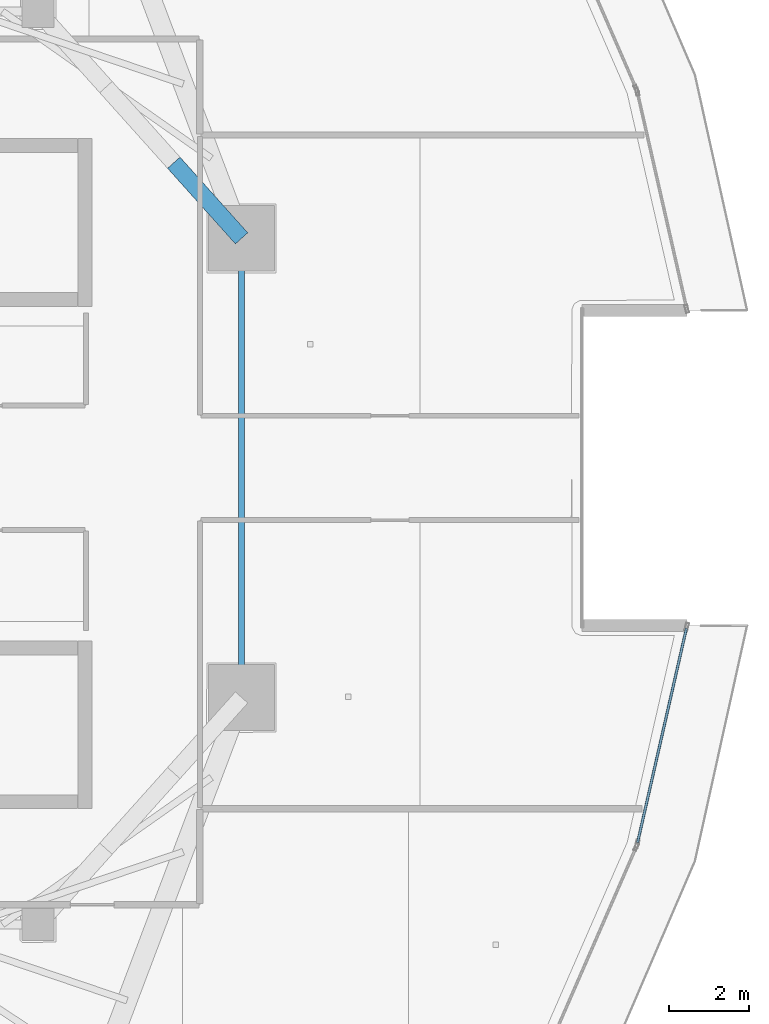
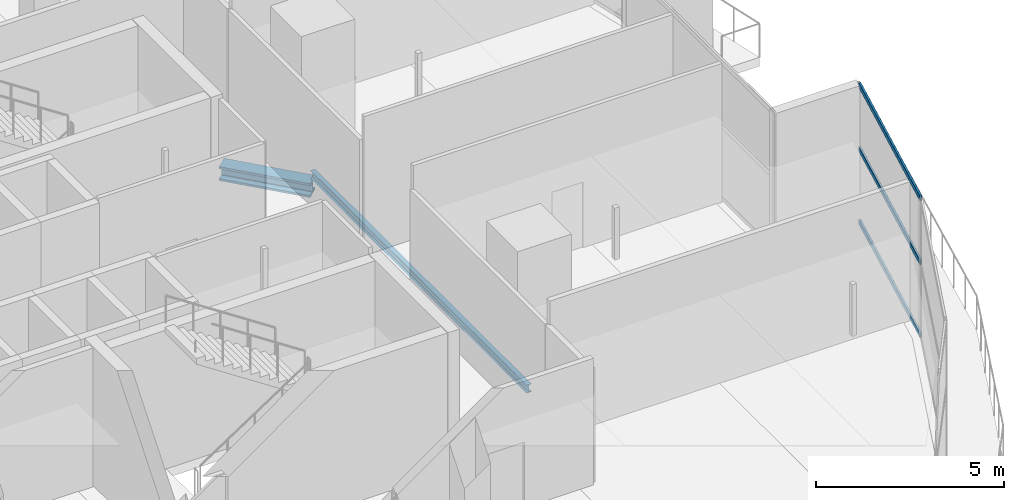
# One storey, part 12 of 36: 4 members, 1 beam, 1 element without a shape of its own.
"""IFC4 building model written with IfcOpenShell, lengths in metres."""

import ifcopenshell
import ifcopenshell.guid

model = None  # the IFC model being written
_history = None  # IfcOwnerHistory: only IFC2X3 demands one
_inside = {}  # id of a spatial element -> (the spatial element, [elements in it])
_under = {}  # id of a project, library or spatial element -> (it, [spatial elements below it])
_declared = {}  # id of a project -> (the project, [libraries it declares])
_typed = {}  # id of a type object -> (the type object, [elements of that type])
_made_of = {}  # id of a material, layer set ... -> (it, [elements and type objects made of it])


def new_model(schema):
    """Start an empty IFC model of exactly this schema.

    Asked for "IFC4X3", IfcOpenShell would pick the latest addendum, in which some entities
    have other attributes; the version numbers below select the first issue.
    IFC2X3 requires an IfcOwnerHistory on every rooted entity: one is made here for all.
    """
    global model, _history
    if schema == "IFC4X3":
        model = ifcopenshell.file(schema_version=(4, 3, 0, 0))
    else:
        model = ifcopenshell.file(schema=schema)
    _inside.clear()
    _under.clear()
    _declared.clear()
    _typed.clear()
    _made_of.clear()
    _history = None
    if model.schema == "IFC2X3":
        org = make("IfcOrganization", Name="unknown")
        user = make(
            "IfcPersonAndOrganization",
            ThePerson=make("IfcPerson", FamilyName="unknown"),
            TheOrganization=org,
        )
        app = make(
            "IfcApplication",
            ApplicationDeveloper=org,
            Version="unknown",
            ApplicationFullName="unknown",
            ApplicationIdentifier="unknown",
        )
        _history = make(
            "IfcOwnerHistory",
            OwningUser=user,
            OwningApplication=app,
            ChangeAction="ADDED",
            CreationDate=0,
        )
    return model


def make(cls, **values):
    """One entity of the class cls with the attributes given. An attribute that is None is left unset."""
    return model.create_entity(
        cls, **{name: value for name, value in values.items() if value is not None}
    )


def rooted(cls, **values):
    """An entity with a GlobalId (a new one), such as an element, a storey or a relation."""
    return make(cls, GlobalId=ifcopenshell.guid.new(), OwnerHistory=_history, **values)


def si_unit(unit_type, name, prefix=None):
    """IfcSIUnit, for example si_unit("LENGTHUNIT", "METRE", prefix="MILLI")."""
    return make("IfcSIUnit", UnitType=unit_type, Prefix=prefix, Name=name)


def assignment(units):
    """IfcUnitAssignment: the units of a project."""
    return None if units is None else make("IfcUnitAssignment", Units=units)


def point(xyz):
    """IfcCartesianPoint."""
    return None if xyz is None else make("IfcCartesianPoint", Coordinates=xyz)


def direction(xyz):
    """IfcDirection."""
    return None if xyz is None else make("IfcDirection", DirectionRatios=xyz)


def frame(location, z_axis=None, x_axis=None):
    """IfcAxis2Placement3D, a coordinate frame: its origin and axes. An axis left out is left unset."""
    return make(
        "IfcAxis2Placement3D",
        Location=point(location),
        Axis=direction(z_axis),
        RefDirection=direction(x_axis),
    )


def frame_2d(location, x_axis=None):
    """IfcAxis2Placement2D, a coordinate frame in the plane: its origin and x axis."""
    return make(
        "IfcAxis2Placement2D", Location=point(location), RefDirection=direction(x_axis)
    )


def origin():
    """The frame at (0, 0, 0) with its axes left unset."""
    return frame((0.0, 0.0, 0.0))


def origin_2d():
    """The frame at (0, 0) in the plane with its x axis left unset."""
    return frame_2d((0.0, 0.0))


def place(relative_to, where):
    """IfcLocalPlacement: puts the frame where relative to a parent placement (None: the world)."""
    return make(
        "IfcLocalPlacement", PlacementRelTo=relative_to, RelativePlacement=where
    )


def context(
    kind, dimensions, precision=None, world=None, true_north=None, identifier=None
):
    """IfcGeometricRepresentationContext, for example the 3D "Model" context."""
    return make(
        "IfcGeometricRepresentationContext",
        ContextIdentifier=identifier,
        ContextType=kind,
        CoordinateSpaceDimension=dimensions,
        Precision=precision,
        WorldCoordinateSystem=world,
        TrueNorth=true_north,
    )


def subcontext(parent, identifier, kind, view, scale=None):
    """IfcGeometricRepresentationSubContext, for example "Body" below "Model"."""
    return make(
        "IfcGeometricRepresentationSubContext",
        ContextIdentifier=identifier,
        ContextType=kind,
        ParentContext=parent,
        TargetScale=scale,
        TargetView=view,
    )


def project(units=None, contexts=None):
    """IfcProject with its units and contexts."""
    return rooted(
        "IfcProject",
        Name="project",
        RepresentationContexts=contexts,
        UnitsInContext=assignment(units),
    )


def spatial(cls, under=None, at=None, **own):
    """A site, building, storey or space (cls), placed at a placement, below another one or the project."""
    s = rooted(cls, ObjectPlacement=at, **own)
    if under is not None:
        _under.setdefault(under.id(), (under, []))[1].append(s)
    return s


def profile(cls, at=None, kind="AREA", **sizes):
    """A parametric profile (cls). Its sizes go by their IFC names, for example OverallWidth=200.0."""
    return make(cls, ProfileType=kind, Position=at, **sizes)


def hollow_rectangle(**sizes):
    """IfcRectangleHollowProfileDef."""
    return profile("IfcRectangleHollowProfileDef", **sizes)


def i_section(**sizes):
    """IfcIShapeProfileDef."""
    return profile("IfcIShapeProfileDef", **sizes)


def extrude(swept, where, along, depth):
    """IfcExtrudedAreaSolid: the profile swept, set in the frame where, extruded along a direction by depth."""
    return make(
        "IfcExtrudedAreaSolid",
        SweptArea=swept,
        Position=where,
        ExtrudedDirection=direction(along),
        Depth=depth,
    )


def shape(context_of_items, identifier, shape_type, items):
    """IfcShapeRepresentation: the items that make up one representation, for example the "Body"."""
    return make(
        "IfcShapeRepresentation",
        ContextOfItems=context_of_items,
        RepresentationIdentifier=identifier,
        RepresentationType=shape_type,
        Items=items,
    )


def material(Name=None, Category=None):
    """IfcMaterial."""
    return make("IfcMaterial", Name=Name, Category=Category)


def layer(
    of_material, thickness, ventilated=None, Name=None, Category=None, Priority=None
):
    """IfcMaterialLayer: one layer of a wall or slab, of a material (None: an air gap)."""
    return make(
        "IfcMaterialLayer",
        Material=of_material,
        LayerThickness=thickness,
        IsVentilated=ventilated,
        Name=Name,
        Category=Category,
        Priority=Priority,
    )


def layer_set(layers, Name=None):
    """IfcMaterialLayerSet."""
    return make("IfcMaterialLayerSet", MaterialLayers=layers, LayerSetName=Name)


def material_profile(
    of_material, cross_section, Name=None, Category=None, Priority=None
):
    """IfcMaterialProfile: a cross section and its material."""
    return make(
        "IfcMaterialProfile",
        Name=Name,
        Material=of_material,
        Profile=cross_section,
        Priority=Priority,
        Category=Category,
    )


def profile_set(profiles, Name=None, composite=None):
    """IfcMaterialProfileSet."""
    return make(
        "IfcMaterialProfileSet",
        Name=Name,
        MaterialProfiles=profiles,
        CompositeProfile=composite,
    )


def made_of(thing, what):
    """Note that an element or type object is made of a material, layer set ...; save() writes the relation."""
    if what is not None:
        _made_of.setdefault(what.id(), (what, []))[1].append(thing)
    return thing


def type_object(cls, material=None, **own):
    """A type object (cls), such as IfcWallType, which elements share."""
    return made_of(rooted(cls, **own), material)


def element(
    cls,
    number,
    at=None,
    inside=None,
    cuts=None,
    type_object=None,
    material=None,
    context=None,
    identifier="Body",
    shape_type=None,
    held_by="IfcProductDefinitionShape",
    body=None,
    shapes=None,
    **own,
):
    """One element of the class cls, such as IfcWall. Its Tag is "e" and its number.

    at: its placement. inside: the storey or other place that contains it. cuts: it is an
    opening in that element (IfcRelVoidsElement). A single representation is given by context,
    identifier, shape_type and body (its items); several are given by shapes. held_by: the class
    of the entity that holds the representations. save() writes the other relations.
    """
    e = rooted(cls, Tag="e%d" % number, ObjectPlacement=at, **own)
    if body is not None:
        shapes = [shape(context, identifier, shape_type, body)]
    if shapes is not None:
        e.Representation = make(held_by, Representations=shapes)
    if inside is not None:
        _inside.setdefault(inside.id(), (inside, []))[1].append(e)
    if cuts is not None:
        rooted(
            "IfcRelVoidsElement", RelatingBuildingElement=cuts, RelatedOpeningElement=e
        )
    if type_object is not None:
        _typed.setdefault(type_object.id(), (type_object, []))[1].append(e)
    return made_of(e, material)


def aggregate(whole, parts):
    """IfcRelAggregates: a whole, such as a stair, and the parts it consists of."""
    return rooted("IfcRelAggregates", RelatingObject=whole, RelatedObjects=parts)


def save(model, path):
    """Write the relations noted so far, then the file.

    IfcRelAggregates (storeys below a building ...), IfcRelContainedInSpatialStructure (elements
    in a storey), IfcRelDefinesByType, IfcRelAssociatesMaterial and IfcRelDeclares: one each for
    every whole, place, type object, material and project.
    """
    for whole, parts in _under.values():
        aggregate(whole, parts)
    for where, things in _inside.values():
        rooted(
            "IfcRelContainedInSpatialStructure",
            RelatedElements=things,
            RelatingStructure=where,
        )
    for kind, things in _typed.values():
        rooted("IfcRelDefinesByType", RelatedObjects=things, RelatingType=kind)
    for what, things in _made_of.values():
        rooted("IfcRelAssociatesMaterial", RelatedObjects=things, RelatingMaterial=what)
    for by, libraries in _declared.values():
        rooted("IfcRelDeclares", RelatingContext=by, RelatedDefinitions=libraries)
    model.write(path)


model = new_model("IFC4")

# Units and contexts
model_context = context("Model", 3, precision=1e-05, world=origin(), true_north=direction((0.0, 1.0)))
body_context = subcontext(model_context, "Body", "Model", "MODEL_VIEW")
ifc_project = project(units=[si_unit("LENGTHUNIT", "METRE"), si_unit("AREAUNIT", "SQUARE_METRE"), si_unit("VOLUMEUNIT", "CUBIC_METRE"), si_unit("PLANEANGLEUNIT", "RADIAN"), si_unit("MASSUNIT", "GRAM", prefix="KILO")], contexts=[model_context])

# Site, building, storey
site_placement = place(None, origin())
site = spatial("IfcSite", under=ifc_project, at=site_placement, CompositionType="ELEMENT")
building_placement = place(site_placement, origin())
building = spatial("IfcBuilding", under=site, at=building_placement, Name="Qorvath Tower", CompositionType="ELEMENT")
storey_placement = place(building_placement, frame((0.0, 0.0, 255.0)))
storey = spatial("IfcBuildingStorey", under=building, at=storey_placement, Name="L59", CompositionType="ELEMENT", Elevation=255.0)

# Beam
ifc_material_1 = material(Name="Steel ASTM A992 Grade 50", Category="steel")
ifc_material_profile_1 = material_profile(ifc_material_1, i_section(OverallWidth=0.14599609375, OverallDepth=0.258056640625, WebThickness=0.006103515625, FlangeThickness=0.009033203125, FilletRadius=0.009033203125, at=origin_2d()), Name="W10x22")
ifc_profile_set_1 = profile_set([ifc_material_profile_1], Name="Steel ASTM A992 Grade 50")
beam_type = type_object("IfcBeamType", Name="BM-LN2", PredefinedType="LINTEL", material=ifc_profile_set_1)
beam_placement = place(storey_placement, frame((-12.0966796875, -5.7578125, -0.428955078125), z_axis=(0.0, 1.0, 0.0), x_axis=(-1.0, 0.0, 0.0)))
element("IfcBeam", 1, at=beam_placement, inside=storey, type_object=beam_type, Name="Slot Portal Lintel Beam L59", PredefinedType="LINTEL", context=body_context, shape_type="SweptSolid", body=[
    extrude(i_section(OverallWidth=0.14599609375, OverallDepth=0.258056640625, WebThickness=0.006103515625, FlangeThickness=0.009033203125, FilletRadius=0.009033203125, at=origin_2d()), origin(), (0.0, 0.0, 1.0), 11.515625),
])

# Curtain wall, members
ifc_material_2 = material(Name="Anodised aluminium and triple low-E glass", Category="aluminium")
ifc_layer = layer(ifc_material_2, 0.179931640625)
ifc_layer_set = layer_set([ifc_layer], Name="CW-SYS-5")
curtain_wall_type = type_object("IfcCurtainWallType", Name="CW-SYS-5", PredefinedType="NOTDEFINED", material=ifc_layer_set)
curtain_wall_placement = place(storey_placement, origin())
curtain_wall = element("IfcCurtainWall", 2, at=curtain_wall_placement, inside=storey, type_object=curtain_wall_type, Name="Curtain Wall CW-5 CW-T-L59-7.1", PredefinedType="NOTDEFINED")
ifc_material_3 = material(Name="Anodised aluminium 6063-T6", Category="aluminium")
ifc_material_profile_2 = material_profile(ifc_material_3, hollow_rectangle(XDim=0.06494140625, YDim=0.159912109375, WallThickness=0.00341796875, InnerFilletRadius=0.00341796875, OuterFilletRadius=0.007080078125, at=origin_2d()), Name="CWT 160x65")
ifc_profile_set_2 = profile_set([ifc_material_profile_2], Name="Anodised aluminium 6063-T6")
member_type_1 = type_object("IfcMemberType", Name="CWT-160", PredefinedType="USERDEFINED", material=ifc_profile_set_2)
member_1_placement = place(storey_placement, frame((-2.163818359375, -9.398681640625, 0.032470703125), z_axis=(0.222364030965, 0.974963710983, 0.0), x_axis=(-0.974963710983, 0.222364030965, 0.0)))
member_1 = element("IfcMember", 3, at=member_1_placement, type_object=member_type_1, Name="CW-5 transom 1.1", ObjectType="TRANSOM", PredefinedType="USERDEFINED", context=body_context, shape_type="SweptSolid", body=[
    extrude(hollow_rectangle(XDim=0.06494140625, YDim=0.159912109375, WallThickness=0.00341796875, InnerFilletRadius=0.00341796875, OuterFilletRadius=0.007080078125, at=origin_2d()), origin(), (0.0, 0.0, 1.0), 5.510498046875),
])
member_2_placement = place(storey_placement, frame((-2.163818359375, -9.398681640625, 2.39990234375), z_axis=(0.222364030965, 0.974963710983, 0.0), x_axis=(-0.974963710983, 0.222364030965, 0.0)))
member_2 = element("IfcMember", 4, at=member_2_placement, type_object=member_type_1, Name="CW-5 transom 1.2", ObjectType="TRANSOM", PredefinedType="USERDEFINED", context=body_context, shape_type="SweptSolid", body=[
    extrude(hollow_rectangle(XDim=0.06494140625, YDim=0.159912109375, WallThickness=0.00341796875, InnerFilletRadius=0.00341796875, OuterFilletRadius=0.007080078125, at=origin_2d()), origin(), (0.0, 0.0, 1.0), 5.510498046875),
])
member_3_placement = place(storey_placement, frame((-2.163818359375, -9.398681640625, 4.4775390625), z_axis=(0.222364030965, 0.974963710983, 0.0), x_axis=(-0.974963710983, 0.222364030965, 0.0)))
member_3 = element("IfcMember", 5, at=member_3_placement, type_object=member_type_1, Name="CW-5 transom 1.3", ObjectType="TRANSOM", PredefinedType="USERDEFINED", context=body_context, shape_type="SweptSolid", body=[
    extrude(hollow_rectangle(XDim=0.06494140625, YDim=0.159912109375, WallThickness=0.00341796875, InnerFilletRadius=0.00341796875, OuterFilletRadius=0.007080078125, at=origin_2d()), origin(), (0.0, 0.0, 1.0), 5.510498046875),
])
aggregate(curtain_wall, [member_1, member_2, member_3])

# Member
ifc_material_4 = material(Name="Steel ASTM A913 Grade 65", Category="steel")
ifc_material_profile_3 = material_profile(ifc_material_4, i_section(OverallWidth=0.4189453125, OverallDepth=0.455078125, WebThickness=0.0419921875, FlangeThickness=0.067626953125, FilletRadius=0.02490234375, at=origin_2d()), Name="W14x370")
ifc_profile_set_3 = profile_set([ifc_material_profile_3], Name="Steel ASTM A913 Grade 65")
member_type_2 = type_object("IfcMemberType", Name="MEM-OT2", PredefinedType="CHORD", material=ifc_profile_set_3)
member_4_placement = place(storey_placement, frame((-13.7978515625, 7.6552734375, -0.85009765625), z_axis=(0.667545015752, -0.744569440646, 0.0), x_axis=(0.744569440646, 0.667545015752, 0.0)))
element("IfcMember", 6, at=member_4_placement, inside=storey, type_object=member_type_2, Name="Outrigger and Belt Truss Top Chord OB3-2.3", PredefinedType="CHORD", context=body_context, shape_type="SweptSolid", body=[
    extrude(i_section(OverallWidth=0.4189453125, OverallDepth=0.455078125, WebThickness=0.0419921875, FlangeThickness=0.067626953125, FilletRadius=0.02490234375, at=origin_2d()), origin(), (0.0, 0.0, 1.0), 2.54833984375),
])

save(model, "model.ifc")
